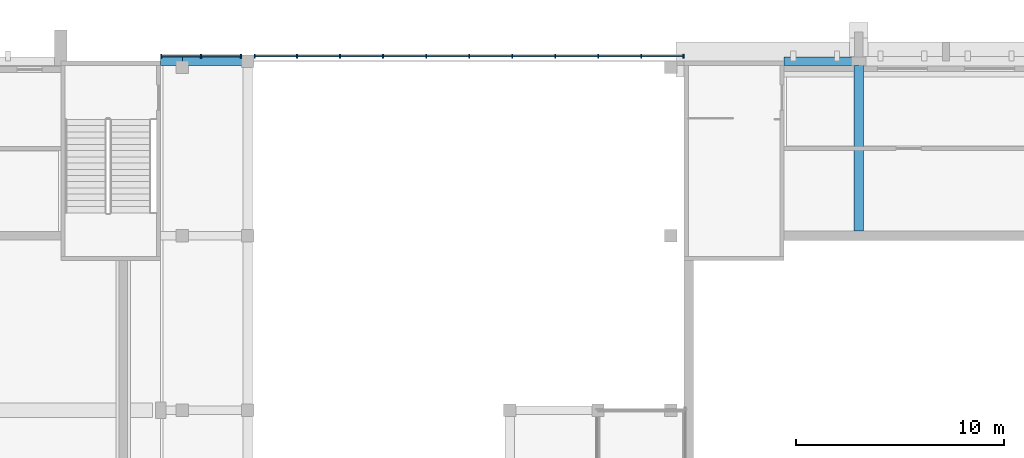
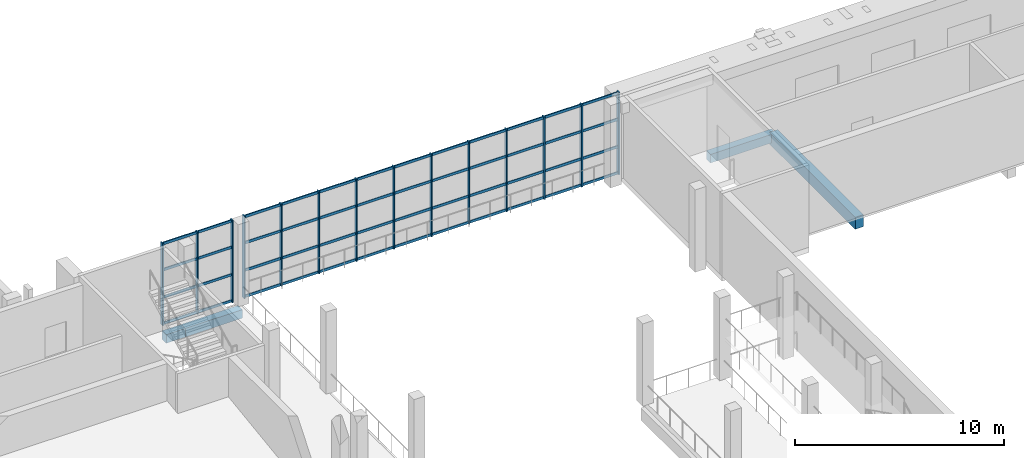
# One storey, part 19 of 86: 62 members, 4 beams, 2 elements without a shape of their own.
"""IFC4 building model written with IfcOpenShell, lengths in metres."""

from ifc_helpers import new_model, si_unit, direction, frame, origin, origin_2d, place, context, subcontext, project, spatial, rectangle, extrude, material, layer, layer_set, material_profile, profile_set, type_object, element, aggregate, save


model = new_model("IFC4")

# Units and contexts
model_context = context("Model", 3, precision=1e-05, world=origin(), true_north=direction((0.0, 1.0)))
body_context = subcontext(model_context, "Body", "Model", "MODEL_VIEW")
ifc_project = project(units=[si_unit("LENGTHUNIT", "METRE"), si_unit("AREAUNIT", "SQUARE_METRE"), si_unit("VOLUMEUNIT", "CUBIC_METRE"), si_unit("PLANEANGLEUNIT", "RADIAN"), si_unit("MASSUNIT", "GRAM", prefix="KILO")], contexts=[model_context])

# Site, building, storey
site_placement = place(None, origin())
site = spatial("IfcSite", under=ifc_project, at=site_placement, CompositionType="ELEMENT")
building_placement = place(site_placement, origin())
building = spatial("IfcBuilding", under=site, at=building_placement, Name="Kiln Court Media Centre", CompositionType="ELEMENT")
storey_placement = place(building_placement, frame((0.0, 0.0, 10.199951171875)))
storey = spatial("IfcBuildingStorey", under=building, at=storey_placement, Name="L02", CompositionType="ELEMENT", Elevation=10.199951171875)

# Curtain wall, members
ifc_material_1 = material(Name="Aluminium 6063-T6", Category="aluminium")
ifc_layer = layer(ifc_material_1, 0.1201171875)
ifc_layer_set = layer_set([ifc_layer], Name="Aluminium stick curtain wall, foyer")
curtain_wall_type = type_object("IfcCurtainWallType", Name="Aluminium stick curtain wall, foyer", PredefinedType="USERDEFINED", material=ifc_layer_set)
curtain_wall_1_placement = place(storey_placement, origin())
curtain_wall_1 = element("IfcCurtainWall", 1, at=curtain_wall_1_placement, inside=storey, type_object=curtain_wall_type, Name="Foyer north glazing L02", ObjectType="STICK CURTAIN WALL", PredefinedType="USERDEFINED")
ifc_material_2 = material(Name="Aluminium 6063-T6", Category="aluminium")
ifc_material_profile_1 = material_profile(ifc_material_2, rectangle(XDim=0.06005859375, YDim=0.199951171875, at=origin_2d()), Name="Aluminium hall mullion 60x200")
ifc_profile_set_1 = profile_set([ifc_material_profile_1], Name="Aluminium 6063-T6")
member_type_1 = type_object("IfcMemberType", Name="Aluminium hall mullion 60x200", PredefinedType="MULLION", material=ifc_profile_set_1)
member_1_placement = place(storey_placement, frame((33.6298828125, 67.444580078125, 0.0), z_axis=(0.0, 0.0, 1.0), x_axis=(1.0, 0.0, 0.0)))
member_1 = element("IfcMember", 2, at=member_1_placement, type_object=member_type_1, Name="CW2-60 mullion 1", PredefinedType="MULLION", context=body_context, shape_type="SweptSolid", body=[
    extrude(rectangle(XDim=0.06005859375, YDim=0.199951171875, at=origin_2d()), origin(), (0.0, 0.0, 1.0), 4.800048828125),
])
member_2_placement = place(storey_placement, frame((35.550048828125, 67.444580078125, 0.0), z_axis=(0.0, 0.0, 1.0), x_axis=(1.0, 0.0, 0.0)))
member_2 = element("IfcMember", 3, at=member_2_placement, type_object=member_type_1, Name="CW2-60 mullion 2", PredefinedType="MULLION", context=body_context, shape_type="SweptSolid", body=[
    extrude(rectangle(XDim=0.06005859375, YDim=0.199951171875, at=origin_2d()), origin(), (0.0, 0.0, 1.0), 4.800048828125),
])
member_3_placement = place(storey_placement, frame((37.469970703125, 67.444580078125, 0.0), z_axis=(0.0, 0.0, 1.0), x_axis=(1.0, 0.0, 0.0)))
member_3 = element("IfcMember", 4, at=member_3_placement, type_object=member_type_1, Name="CW2-60 mullion 3", PredefinedType="MULLION", context=body_context, shape_type="SweptSolid", body=[
    extrude(rectangle(XDim=0.06005859375, YDim=0.199951171875, at=origin_2d()), origin(), (0.0, 0.0, 1.0), 4.800048828125),
])

curtain_wall_2_placement = place(storey_placement, origin())
curtain_wall_2 = element("IfcCurtainWall", 5, at=curtain_wall_2_placement, inside=storey, type_object=curtain_wall_type, Name="Foyer north glazing L02", ObjectType="STICK CURTAIN WALL", PredefinedType="USERDEFINED")
member_4_placement = place(storey_placement, frame((38.1298828125, 67.444580078125, 0.0), z_axis=(0.0, 0.0, 1.0), x_axis=(1.0, 0.0, 0.0)))
member_4 = element("IfcMember", 6, at=member_4_placement, type_object=member_type_1, Name="CW2-61 mullion 1", PredefinedType="MULLION", context=body_context, shape_type="SweptSolid", body=[
    extrude(rectangle(XDim=0.06005859375, YDim=0.199951171875, at=origin_2d()), origin(), (0.0, 0.0, 1.0), 4.800048828125),
])
member_5_placement = place(storey_placement, frame((40.169921875, 67.444580078125, 0.0), z_axis=(0.0, 0.0, 1.0), x_axis=(1.0, 0.0, 0.0)))
member_5 = element("IfcMember", 7, at=member_5_placement, type_object=member_type_1, Name="CW2-61 mullion 2", PredefinedType="MULLION", context=body_context, shape_type="SweptSolid", body=[
    extrude(rectangle(XDim=0.06005859375, YDim=0.199951171875, at=origin_2d()), origin(), (0.0, 0.0, 1.0), 4.800048828125),
])
member_6_placement = place(storey_placement, frame((42.239990234375, 67.444580078125, 0.0), z_axis=(0.0, 0.0, 1.0), x_axis=(1.0, 0.0, 0.0)))
member_6 = element("IfcMember", 8, at=member_6_placement, type_object=member_type_1, Name="CW2-61 mullion 3", PredefinedType="MULLION", context=body_context, shape_type="SweptSolid", body=[
    extrude(rectangle(XDim=0.06005859375, YDim=0.199951171875, at=origin_2d()), origin(), (0.0, 0.0, 1.0), 4.800048828125),
])
member_7_placement = place(storey_placement, frame((44.31005859375, 67.444580078125, 0.0), z_axis=(0.0, 0.0, 1.0), x_axis=(1.0, 0.0, 0.0)))
member_7 = element("IfcMember", 9, at=member_7_placement, type_object=member_type_1, Name="CW2-61 mullion 4", PredefinedType="MULLION", context=body_context, shape_type="SweptSolid", body=[
    extrude(rectangle(XDim=0.06005859375, YDim=0.199951171875, at=origin_2d()), origin(), (0.0, 0.0, 1.0), 4.800048828125),
])
member_8_placement = place(storey_placement, frame((46.3798828125, 67.444580078125, 0.0), z_axis=(0.0, 0.0, 1.0), x_axis=(1.0, 0.0, 0.0)))
member_8 = element("IfcMember", 10, at=member_8_placement, type_object=member_type_1, Name="CW2-61 mullion 5", PredefinedType="MULLION", context=body_context, shape_type="SweptSolid", body=[
    extrude(rectangle(XDim=0.06005859375, YDim=0.199951171875, at=origin_2d()), origin(), (0.0, 0.0, 1.0), 4.800048828125),
])
member_9_placement = place(storey_placement, frame((48.449951171875, 67.444580078125, 0.0), z_axis=(0.0, 0.0, 1.0), x_axis=(1.0, 0.0, 0.0)))
member_9 = element("IfcMember", 11, at=member_9_placement, type_object=member_type_1, Name="CW2-61 mullion 6", PredefinedType="MULLION", context=body_context, shape_type="SweptSolid", body=[
    extrude(rectangle(XDim=0.06005859375, YDim=0.199951171875, at=origin_2d()), origin(), (0.0, 0.0, 1.0), 4.800048828125),
])
member_10_placement = place(storey_placement, frame((50.52001953125, 67.444580078125, 0.0), z_axis=(0.0, 0.0, 1.0), x_axis=(1.0, 0.0, 0.0)))
member_10 = element("IfcMember", 12, at=member_10_placement, type_object=member_type_1, Name="CW2-61 mullion 7", PredefinedType="MULLION", context=body_context, shape_type="SweptSolid", body=[
    extrude(rectangle(XDim=0.06005859375, YDim=0.199951171875, at=origin_2d()), origin(), (0.0, 0.0, 1.0), 4.800048828125),
])
member_11_placement = place(storey_placement, frame((52.590087890625, 67.444580078125, 0.0), z_axis=(0.0, 0.0, 1.0), x_axis=(1.0, 0.0, 0.0)))
member_11 = element("IfcMember", 13, at=member_11_placement, type_object=member_type_1, Name="CW2-61 mullion 8", PredefinedType="MULLION", context=body_context, shape_type="SweptSolid", body=[
    extrude(rectangle(XDim=0.06005859375, YDim=0.199951171875, at=origin_2d()), origin(), (0.0, 0.0, 1.0), 4.800048828125),
])
member_12_placement = place(storey_placement, frame((54.659912109375, 67.444580078125, 0.0), z_axis=(0.0, 0.0, 1.0), x_axis=(1.0, 0.0, 0.0)))
member_12 = element("IfcMember", 14, at=member_12_placement, type_object=member_type_1, Name="CW2-61 mullion 9", PredefinedType="MULLION", context=body_context, shape_type="SweptSolid", body=[
    extrude(rectangle(XDim=0.06005859375, YDim=0.199951171875, at=origin_2d()), origin(), (0.0, 0.0, 1.0), 4.800048828125),
])
member_13_placement = place(storey_placement, frame((56.72998046875, 67.444580078125, 0.0), z_axis=(0.0, 0.0, 1.0), x_axis=(1.0, 0.0, 0.0)))
member_13 = element("IfcMember", 15, at=member_13_placement, type_object=member_type_1, Name="CW2-61 mullion 10", PredefinedType="MULLION", context=body_context, shape_type="SweptSolid", body=[
    extrude(rectangle(XDim=0.06005859375, YDim=0.199951171875, at=origin_2d()), origin(), (0.0, 0.0, 1.0), 4.800048828125),
])
member_14_placement = place(storey_placement, frame((58.77001953125, 67.444580078125, 0.0), z_axis=(0.0, 0.0, 1.0), x_axis=(1.0, 0.0, 0.0)))
member_14 = element("IfcMember", 16, at=member_14_placement, type_object=member_type_1, Name="CW2-61 mullion 11", PredefinedType="MULLION", context=body_context, shape_type="SweptSolid", body=[
    extrude(rectangle(XDim=0.06005859375, YDim=0.199951171875, at=origin_2d()), origin(), (0.0, 0.0, 1.0), 4.800048828125),
])

# Member
ifc_material_3 = material(Name="Aluminium 6063-T6", Category="aluminium")
ifc_material_profile_2 = material_profile(ifc_material_3, rectangle(XDim=0.06005859375, YDim=0.14990234375, at=origin_2d()), Name="Aluminium hall transom 60x150")
ifc_profile_set_2 = profile_set([ifc_material_profile_2], Name="Aluminium 6063-T6")
member_type_2 = type_object("IfcMemberType", Name="Aluminium hall transom 60x150", PredefinedType="USERDEFINED", material=ifc_profile_set_2)
member_15_placement = place(storey_placement, frame((33.659912109375, 67.444580078125, 0.074951171875), z_axis=(1.0, 0.0, 0.0), x_axis=(0.0, 1.0, 0.0)))
member_15 = element("IfcMember", 17, at=member_15_placement, type_object=member_type_2, Name="CW2-60 transom 1.1", ObjectType="TRANSOM", PredefinedType="USERDEFINED", context=body_context, shape_type="SweptSolid", body=[
    extrude(rectangle(XDim=0.06005859375, YDim=0.14990234375, at=origin_2d()), origin(), (0.0, 0.0, 1.0), 1.860107421875),
])

member_16_placement = place(storey_placement, frame((33.659912109375, 67.444580078125, 1.60009765625), z_axis=(1.0, 0.0, 0.0), x_axis=(0.0, 1.0, 0.0)))
member_16 = element("IfcMember", 18, at=member_16_placement, type_object=member_type_2, Name="CW2-60 transom 1.2", ObjectType="TRANSOM", PredefinedType="USERDEFINED", context=body_context, shape_type="SweptSolid", body=[
    extrude(rectangle(XDim=0.06005859375, YDim=0.14990234375, at=origin_2d()), origin(), (0.0, 0.0, 1.0), 1.860107421875),
])

member_17_placement = place(storey_placement, frame((33.659912109375, 67.444580078125, 3.199951171875), z_axis=(1.0, 0.0, 0.0), x_axis=(0.0, 1.0, 0.0)))
member_17 = element("IfcMember", 19, at=member_17_placement, type_object=member_type_2, Name="CW2-60 transom 1.3", ObjectType="TRANSOM", PredefinedType="USERDEFINED", context=body_context, shape_type="SweptSolid", body=[
    extrude(rectangle(XDim=0.06005859375, YDim=0.14990234375, at=origin_2d()), origin(), (0.0, 0.0, 1.0), 1.860107421875),
])

member_18_placement = place(storey_placement, frame((33.659912109375, 67.444580078125, 4.72509765625), z_axis=(1.0, 0.0, 0.0), x_axis=(0.0, 1.0, 0.0)))
member_18 = element("IfcMember", 20, at=member_18_placement, type_object=member_type_2, Name="CW2-60 transom 1.4", ObjectType="TRANSOM", PredefinedType="USERDEFINED", context=body_context, shape_type="SweptSolid", body=[
    extrude(rectangle(XDim=0.06005859375, YDim=0.14990234375, at=origin_2d()), origin(), (0.0, 0.0, 1.0), 1.860107421875),
])

member_19_placement = place(storey_placement, frame((35.580078125, 67.444580078125, 0.074951171875), z_axis=(1.0, 0.0, 0.0), x_axis=(0.0, 1.0, 0.0)))
member_19 = element("IfcMember", 21, at=member_19_placement, type_object=member_type_2, Name="CW2-60 transom 2.1", ObjectType="TRANSOM", PredefinedType="USERDEFINED", context=body_context, shape_type="SweptSolid", body=[
    extrude(rectangle(XDim=0.06005859375, YDim=0.14990234375, at=origin_2d()), origin(), (0.0, 0.0, 1.0), 1.85986328125),
])

member_20_placement = place(storey_placement, frame((35.580078125, 67.444580078125, 1.60009765625), z_axis=(1.0, 0.0, 0.0), x_axis=(0.0, 1.0, 0.0)))
member_20 = element("IfcMember", 22, at=member_20_placement, type_object=member_type_2, Name="CW2-60 transom 2.2", ObjectType="TRANSOM", PredefinedType="USERDEFINED", context=body_context, shape_type="SweptSolid", body=[
    extrude(rectangle(XDim=0.06005859375, YDim=0.14990234375, at=origin_2d()), origin(), (0.0, 0.0, 1.0), 1.85986328125),
])

member_21_placement = place(storey_placement, frame((35.580078125, 67.444580078125, 3.199951171875), z_axis=(1.0, 0.0, 0.0), x_axis=(0.0, 1.0, 0.0)))
member_21 = element("IfcMember", 23, at=member_21_placement, type_object=member_type_2, Name="CW2-60 transom 2.3", ObjectType="TRANSOM", PredefinedType="USERDEFINED", context=body_context, shape_type="SweptSolid", body=[
    extrude(rectangle(XDim=0.06005859375, YDim=0.14990234375, at=origin_2d()), origin(), (0.0, 0.0, 1.0), 1.85986328125),
])

member_22_placement = place(storey_placement, frame((35.580078125, 67.444580078125, 4.72509765625), z_axis=(1.0, 0.0, 0.0), x_axis=(0.0, 1.0, 0.0)))
member_22 = element("IfcMember", 24, at=member_22_placement, type_object=member_type_2, Name="CW2-60 transom 2.4", ObjectType="TRANSOM", PredefinedType="USERDEFINED", context=body_context, shape_type="SweptSolid", body=[
    extrude(rectangle(XDim=0.06005859375, YDim=0.14990234375, at=origin_2d()), origin(), (0.0, 0.0, 1.0), 1.85986328125),
])

aggregate(curtain_wall_1, [member_1, member_2, member_3, member_15, member_16, member_17, member_18, member_19, member_20, member_21, member_22])

member_23_placement = place(storey_placement, frame((38.159912109375, 67.444580078125, 0.074951171875), z_axis=(1.0, 0.0, 0.0), x_axis=(0.0, 1.0, 0.0)))
member_23 = element("IfcMember", 25, at=member_23_placement, type_object=member_type_2, Name="CW2-61 transom 1.1", ObjectType="TRANSOM", PredefinedType="USERDEFINED", context=body_context, shape_type="SweptSolid", body=[
    extrude(rectangle(XDim=0.06005859375, YDim=0.14990234375, at=origin_2d()), origin(), (0.0, 0.0, 1.0), 1.97998046875),
])

member_24_placement = place(storey_placement, frame((38.159912109375, 67.444580078125, 1.60009765625), z_axis=(1.0, 0.0, 0.0), x_axis=(0.0, 1.0, 0.0)))
member_24 = element("IfcMember", 26, at=member_24_placement, type_object=member_type_2, Name="CW2-61 transom 1.2", ObjectType="TRANSOM", PredefinedType="USERDEFINED", context=body_context, shape_type="SweptSolid", body=[
    extrude(rectangle(XDim=0.06005859375, YDim=0.14990234375, at=origin_2d()), origin(), (0.0, 0.0, 1.0), 1.97998046875),
])

member_25_placement = place(storey_placement, frame((38.159912109375, 67.444580078125, 3.199951171875), z_axis=(1.0, 0.0, 0.0), x_axis=(0.0, 1.0, 0.0)))
member_25 = element("IfcMember", 27, at=member_25_placement, type_object=member_type_2, Name="CW2-61 transom 1.3", ObjectType="TRANSOM", PredefinedType="USERDEFINED", context=body_context, shape_type="SweptSolid", body=[
    extrude(rectangle(XDim=0.06005859375, YDim=0.14990234375, at=origin_2d()), origin(), (0.0, 0.0, 1.0), 1.97998046875),
])

member_26_placement = place(storey_placement, frame((38.159912109375, 67.444580078125, 4.72509765625), z_axis=(1.0, 0.0, 0.0), x_axis=(0.0, 1.0, 0.0)))
member_26 = element("IfcMember", 28, at=member_26_placement, type_object=member_type_2, Name="CW2-61 transom 1.4", ObjectType="TRANSOM", PredefinedType="USERDEFINED", context=body_context, shape_type="SweptSolid", body=[
    extrude(rectangle(XDim=0.06005859375, YDim=0.14990234375, at=origin_2d()), origin(), (0.0, 0.0, 1.0), 1.97998046875),
])

member_27_placement = place(storey_placement, frame((40.199951171875, 67.444580078125, 0.074951171875), z_axis=(1.0, 0.0, 0.0), x_axis=(0.0, 1.0, 0.0)))
member_27 = element("IfcMember", 29, at=member_27_placement, type_object=member_type_2, Name="CW2-61 transom 2.1", ObjectType="TRANSOM", PredefinedType="USERDEFINED", context=body_context, shape_type="SweptSolid", body=[
    extrude(rectangle(XDim=0.06005859375, YDim=0.14990234375, at=origin_2d()), origin(), (0.0, 0.0, 1.0), 2.010009765625),
])

member_28_placement = place(storey_placement, frame((40.199951171875, 67.444580078125, 1.60009765625), z_axis=(1.0, 0.0, 0.0), x_axis=(0.0, 1.0, 0.0)))
member_28 = element("IfcMember", 30, at=member_28_placement, type_object=member_type_2, Name="CW2-61 transom 2.2", ObjectType="TRANSOM", PredefinedType="USERDEFINED", context=body_context, shape_type="SweptSolid", body=[
    extrude(rectangle(XDim=0.06005859375, YDim=0.14990234375, at=origin_2d()), origin(), (0.0, 0.0, 1.0), 2.010009765625),
])

member_29_placement = place(storey_placement, frame((40.199951171875, 67.444580078125, 3.199951171875), z_axis=(1.0, 0.0, 0.0), x_axis=(0.0, 1.0, 0.0)))
member_29 = element("IfcMember", 31, at=member_29_placement, type_object=member_type_2, Name="CW2-61 transom 2.3", ObjectType="TRANSOM", PredefinedType="USERDEFINED", context=body_context, shape_type="SweptSolid", body=[
    extrude(rectangle(XDim=0.06005859375, YDim=0.14990234375, at=origin_2d()), origin(), (0.0, 0.0, 1.0), 2.010009765625),
])

member_30_placement = place(storey_placement, frame((40.199951171875, 67.444580078125, 4.72509765625), z_axis=(1.0, 0.0, 0.0), x_axis=(0.0, 1.0, 0.0)))
member_30 = element("IfcMember", 32, at=member_30_placement, type_object=member_type_2, Name="CW2-61 transom 2.4", ObjectType="TRANSOM", PredefinedType="USERDEFINED", context=body_context, shape_type="SweptSolid", body=[
    extrude(rectangle(XDim=0.06005859375, YDim=0.14990234375, at=origin_2d()), origin(), (0.0, 0.0, 1.0), 2.010009765625),
])

member_31_placement = place(storey_placement, frame((42.27001953125, 67.444580078125, 0.074951171875), z_axis=(1.0, 0.0, 0.0), x_axis=(0.0, 1.0, 0.0)))
member_31 = element("IfcMember", 33, at=member_31_placement, type_object=member_type_2, Name="CW2-61 transom 3.1", ObjectType="TRANSOM", PredefinedType="USERDEFINED", context=body_context, shape_type="SweptSolid", body=[
    extrude(rectangle(XDim=0.06005859375, YDim=0.14990234375, at=origin_2d()), origin(), (0.0, 0.0, 1.0), 2.010009765625),
])

member_32_placement = place(storey_placement, frame((42.27001953125, 67.444580078125, 1.60009765625), z_axis=(1.0, 0.0, 0.0), x_axis=(0.0, 1.0, 0.0)))
member_32 = element("IfcMember", 34, at=member_32_placement, type_object=member_type_2, Name="CW2-61 transom 3.2", ObjectType="TRANSOM", PredefinedType="USERDEFINED", context=body_context, shape_type="SweptSolid", body=[
    extrude(rectangle(XDim=0.06005859375, YDim=0.14990234375, at=origin_2d()), origin(), (0.0, 0.0, 1.0), 2.010009765625),
])

member_33_placement = place(storey_placement, frame((42.27001953125, 67.444580078125, 3.199951171875), z_axis=(1.0, 0.0, 0.0), x_axis=(0.0, 1.0, 0.0)))
member_33 = element("IfcMember", 35, at=member_33_placement, type_object=member_type_2, Name="CW2-61 transom 3.3", ObjectType="TRANSOM", PredefinedType="USERDEFINED", context=body_context, shape_type="SweptSolid", body=[
    extrude(rectangle(XDim=0.06005859375, YDim=0.14990234375, at=origin_2d()), origin(), (0.0, 0.0, 1.0), 2.010009765625),
])

member_34_placement = place(storey_placement, frame((42.27001953125, 67.444580078125, 4.72509765625), z_axis=(1.0, 0.0, 0.0), x_axis=(0.0, 1.0, 0.0)))
member_34 = element("IfcMember", 36, at=member_34_placement, type_object=member_type_2, Name="CW2-61 transom 3.4", ObjectType="TRANSOM", PredefinedType="USERDEFINED", context=body_context, shape_type="SweptSolid", body=[
    extrude(rectangle(XDim=0.06005859375, YDim=0.14990234375, at=origin_2d()), origin(), (0.0, 0.0, 1.0), 2.010009765625),
])

member_35_placement = place(storey_placement, frame((44.340087890625, 67.444580078125, 0.074951171875), z_axis=(1.0, 0.0, 0.0), x_axis=(0.0, 1.0, 0.0)))
member_35 = element("IfcMember", 37, at=member_35_placement, type_object=member_type_2, Name="CW2-61 transom 4.1", ObjectType="TRANSOM", PredefinedType="USERDEFINED", context=body_context, shape_type="SweptSolid", body=[
    extrude(rectangle(XDim=0.06005859375, YDim=0.14990234375, at=origin_2d()), origin(), (0.0, 0.0, 1.0), 2.010009765625),
])

member_36_placement = place(storey_placement, frame((44.340087890625, 67.444580078125, 1.60009765625), z_axis=(1.0, 0.0, 0.0), x_axis=(0.0, 1.0, 0.0)))
member_36 = element("IfcMember", 38, at=member_36_placement, type_object=member_type_2, Name="CW2-61 transom 4.2", ObjectType="TRANSOM", PredefinedType="USERDEFINED", context=body_context, shape_type="SweptSolid", body=[
    extrude(rectangle(XDim=0.06005859375, YDim=0.14990234375, at=origin_2d()), origin(), (0.0, 0.0, 1.0), 2.010009765625),
])

member_37_placement = place(storey_placement, frame((44.340087890625, 67.444580078125, 3.199951171875), z_axis=(1.0, 0.0, 0.0), x_axis=(0.0, 1.0, 0.0)))
member_37 = element("IfcMember", 39, at=member_37_placement, type_object=member_type_2, Name="CW2-61 transom 4.3", ObjectType="TRANSOM", PredefinedType="USERDEFINED", context=body_context, shape_type="SweptSolid", body=[
    extrude(rectangle(XDim=0.06005859375, YDim=0.14990234375, at=origin_2d()), origin(), (0.0, 0.0, 1.0), 2.010009765625),
])

member_38_placement = place(storey_placement, frame((44.340087890625, 67.444580078125, 4.72509765625), z_axis=(1.0, 0.0, 0.0), x_axis=(0.0, 1.0, 0.0)))
member_38 = element("IfcMember", 40, at=member_38_placement, type_object=member_type_2, Name="CW2-61 transom 4.4", ObjectType="TRANSOM", PredefinedType="USERDEFINED", context=body_context, shape_type="SweptSolid", body=[
    extrude(rectangle(XDim=0.06005859375, YDim=0.14990234375, at=origin_2d()), origin(), (0.0, 0.0, 1.0), 2.010009765625),
])

member_39_placement = place(storey_placement, frame((46.409912109375, 67.444580078125, 0.074951171875), z_axis=(1.0, 0.0, 0.0), x_axis=(0.0, 1.0, 0.0)))
member_39 = element("IfcMember", 41, at=member_39_placement, type_object=member_type_2, Name="CW2-61 transom 5.1", ObjectType="TRANSOM", PredefinedType="USERDEFINED", context=body_context, shape_type="SweptSolid", body=[
    extrude(rectangle(XDim=0.06005859375, YDim=0.14990234375, at=origin_2d()), origin(), (0.0, 0.0, 1.0), 2.010009765625),
])

member_40_placement = place(storey_placement, frame((46.409912109375, 67.444580078125, 1.60009765625), z_axis=(1.0, 0.0, 0.0), x_axis=(0.0, 1.0, 0.0)))
member_40 = element("IfcMember", 42, at=member_40_placement, type_object=member_type_2, Name="CW2-61 transom 5.2", ObjectType="TRANSOM", PredefinedType="USERDEFINED", context=body_context, shape_type="SweptSolid", body=[
    extrude(rectangle(XDim=0.06005859375, YDim=0.14990234375, at=origin_2d()), origin(), (0.0, 0.0, 1.0), 2.010009765625),
])

member_41_placement = place(storey_placement, frame((46.409912109375, 67.444580078125, 3.199951171875), z_axis=(1.0, 0.0, 0.0), x_axis=(0.0, 1.0, 0.0)))
member_41 = element("IfcMember", 43, at=member_41_placement, type_object=member_type_2, Name="CW2-61 transom 5.3", ObjectType="TRANSOM", PredefinedType="USERDEFINED", context=body_context, shape_type="SweptSolid", body=[
    extrude(rectangle(XDim=0.06005859375, YDim=0.14990234375, at=origin_2d()), origin(), (0.0, 0.0, 1.0), 2.010009765625),
])

member_42_placement = place(storey_placement, frame((46.409912109375, 67.444580078125, 4.72509765625), z_axis=(1.0, 0.0, 0.0), x_axis=(0.0, 1.0, 0.0)))
member_42 = element("IfcMember", 44, at=member_42_placement, type_object=member_type_2, Name="CW2-61 transom 5.4", ObjectType="TRANSOM", PredefinedType="USERDEFINED", context=body_context, shape_type="SweptSolid", body=[
    extrude(rectangle(XDim=0.06005859375, YDim=0.14990234375, at=origin_2d()), origin(), (0.0, 0.0, 1.0), 2.010009765625),
])

member_43_placement = place(storey_placement, frame((48.47998046875, 67.444580078125, 0.074951171875), z_axis=(1.0, 0.0, 0.0), x_axis=(0.0, 1.0, 0.0)))
member_43 = element("IfcMember", 45, at=member_43_placement, type_object=member_type_2, Name="CW2-61 transom 6.1", ObjectType="TRANSOM", PredefinedType="USERDEFINED", context=body_context, shape_type="SweptSolid", body=[
    extrude(rectangle(XDim=0.06005859375, YDim=0.14990234375, at=origin_2d()), origin(), (0.0, 0.0, 1.0), 2.010009765625),
])

member_44_placement = place(storey_placement, frame((48.47998046875, 67.444580078125, 1.60009765625), z_axis=(1.0, 0.0, 0.0), x_axis=(0.0, 1.0, 0.0)))
member_44 = element("IfcMember", 46, at=member_44_placement, type_object=member_type_2, Name="CW2-61 transom 6.2", ObjectType="TRANSOM", PredefinedType="USERDEFINED", context=body_context, shape_type="SweptSolid", body=[
    extrude(rectangle(XDim=0.06005859375, YDim=0.14990234375, at=origin_2d()), origin(), (0.0, 0.0, 1.0), 2.010009765625),
])

member_45_placement = place(storey_placement, frame((48.47998046875, 67.444580078125, 3.199951171875), z_axis=(1.0, 0.0, 0.0), x_axis=(0.0, 1.0, 0.0)))
member_45 = element("IfcMember", 47, at=member_45_placement, type_object=member_type_2, Name="CW2-61 transom 6.3", ObjectType="TRANSOM", PredefinedType="USERDEFINED", context=body_context, shape_type="SweptSolid", body=[
    extrude(rectangle(XDim=0.06005859375, YDim=0.14990234375, at=origin_2d()), origin(), (0.0, 0.0, 1.0), 2.010009765625),
])

member_46_placement = place(storey_placement, frame((48.47998046875, 67.444580078125, 4.72509765625), z_axis=(1.0, 0.0, 0.0), x_axis=(0.0, 1.0, 0.0)))
member_46 = element("IfcMember", 48, at=member_46_placement, type_object=member_type_2, Name="CW2-61 transom 6.4", ObjectType="TRANSOM", PredefinedType="USERDEFINED", context=body_context, shape_type="SweptSolid", body=[
    extrude(rectangle(XDim=0.06005859375, YDim=0.14990234375, at=origin_2d()), origin(), (0.0, 0.0, 1.0), 2.010009765625),
])

member_47_placement = place(storey_placement, frame((50.550048828125, 67.444580078125, 0.074951171875), z_axis=(1.0, 0.0, 0.0), x_axis=(0.0, 1.0, 0.0)))
member_47 = element("IfcMember", 49, at=member_47_placement, type_object=member_type_2, Name="CW2-61 transom 7.1", ObjectType="TRANSOM", PredefinedType="USERDEFINED", context=body_context, shape_type="SweptSolid", body=[
    extrude(rectangle(XDim=0.06005859375, YDim=0.14990234375, at=origin_2d()), origin(), (0.0, 0.0, 1.0), 2.010009765625),
])

member_48_placement = place(storey_placement, frame((50.550048828125, 67.444580078125, 1.60009765625), z_axis=(1.0, 0.0, 0.0), x_axis=(0.0, 1.0, 0.0)))
member_48 = element("IfcMember", 50, at=member_48_placement, type_object=member_type_2, Name="CW2-61 transom 7.2", ObjectType="TRANSOM", PredefinedType="USERDEFINED", context=body_context, shape_type="SweptSolid", body=[
    extrude(rectangle(XDim=0.06005859375, YDim=0.14990234375, at=origin_2d()), origin(), (0.0, 0.0, 1.0), 2.010009765625),
])

member_49_placement = place(storey_placement, frame((50.550048828125, 67.444580078125, 3.199951171875), z_axis=(1.0, 0.0, 0.0), x_axis=(0.0, 1.0, 0.0)))
member_49 = element("IfcMember", 51, at=member_49_placement, type_object=member_type_2, Name="CW2-61 transom 7.3", ObjectType="TRANSOM", PredefinedType="USERDEFINED", context=body_context, shape_type="SweptSolid", body=[
    extrude(rectangle(XDim=0.06005859375, YDim=0.14990234375, at=origin_2d()), origin(), (0.0, 0.0, 1.0), 2.010009765625),
])

member_50_placement = place(storey_placement, frame((50.550048828125, 67.444580078125, 4.72509765625), z_axis=(1.0, 0.0, 0.0), x_axis=(0.0, 1.0, 0.0)))
member_50 = element("IfcMember", 52, at=member_50_placement, type_object=member_type_2, Name="CW2-61 transom 7.4", ObjectType="TRANSOM", PredefinedType="USERDEFINED", context=body_context, shape_type="SweptSolid", body=[
    extrude(rectangle(XDim=0.06005859375, YDim=0.14990234375, at=origin_2d()), origin(), (0.0, 0.0, 1.0), 2.010009765625),
])

member_51_placement = place(storey_placement, frame((52.6201171875, 67.444580078125, 0.074951171875), z_axis=(1.0, 0.0, 0.0), x_axis=(0.0, 1.0, 0.0)))
member_51 = element("IfcMember", 53, at=member_51_placement, type_object=member_type_2, Name="CW2-61 transom 8.1", ObjectType="TRANSOM", PredefinedType="USERDEFINED", context=body_context, shape_type="SweptSolid", body=[
    extrude(rectangle(XDim=0.06005859375, YDim=0.14990234375, at=origin_2d()), origin(), (0.0, 0.0, 1.0), 2.009765625),
])

member_52_placement = place(storey_placement, frame((52.6201171875, 67.444580078125, 1.60009765625), z_axis=(1.0, 0.0, 0.0), x_axis=(0.0, 1.0, 0.0)))
member_52 = element("IfcMember", 54, at=member_52_placement, type_object=member_type_2, Name="CW2-61 transom 8.2", ObjectType="TRANSOM", PredefinedType="USERDEFINED", context=body_context, shape_type="SweptSolid", body=[
    extrude(rectangle(XDim=0.06005859375, YDim=0.14990234375, at=origin_2d()), origin(), (0.0, 0.0, 1.0), 2.009765625),
])

member_53_placement = place(storey_placement, frame((52.6201171875, 67.444580078125, 3.199951171875), z_axis=(1.0, 0.0, 0.0), x_axis=(0.0, 1.0, 0.0)))
member_53 = element("IfcMember", 55, at=member_53_placement, type_object=member_type_2, Name="CW2-61 transom 8.3", ObjectType="TRANSOM", PredefinedType="USERDEFINED", context=body_context, shape_type="SweptSolid", body=[
    extrude(rectangle(XDim=0.06005859375, YDim=0.14990234375, at=origin_2d()), origin(), (0.0, 0.0, 1.0), 2.009765625),
])

member_54_placement = place(storey_placement, frame((52.6201171875, 67.444580078125, 4.72509765625), z_axis=(1.0, 0.0, 0.0), x_axis=(0.0, 1.0, 0.0)))
member_54 = element("IfcMember", 56, at=member_54_placement, type_object=member_type_2, Name="CW2-61 transom 8.4", ObjectType="TRANSOM", PredefinedType="USERDEFINED", context=body_context, shape_type="SweptSolid", body=[
    extrude(rectangle(XDim=0.06005859375, YDim=0.14990234375, at=origin_2d()), origin(), (0.0, 0.0, 1.0), 2.009765625),
])

member_55_placement = place(storey_placement, frame((54.68994140625, 67.444580078125, 0.074951171875), z_axis=(1.0, 0.0, 0.0), x_axis=(0.0, 1.0, 0.0)))
member_55 = element("IfcMember", 57, at=member_55_placement, type_object=member_type_2, Name="CW2-61 transom 9.1", ObjectType="TRANSOM", PredefinedType="USERDEFINED", context=body_context, shape_type="SweptSolid", body=[
    extrude(rectangle(XDim=0.06005859375, YDim=0.14990234375, at=origin_2d()), origin(), (0.0, 0.0, 1.0), 2.010009765625),
])

member_56_placement = place(storey_placement, frame((54.68994140625, 67.444580078125, 1.60009765625), z_axis=(1.0, 0.0, 0.0), x_axis=(0.0, 1.0, 0.0)))
member_56 = element("IfcMember", 58, at=member_56_placement, type_object=member_type_2, Name="CW2-61 transom 9.2", ObjectType="TRANSOM", PredefinedType="USERDEFINED", context=body_context, shape_type="SweptSolid", body=[
    extrude(rectangle(XDim=0.06005859375, YDim=0.14990234375, at=origin_2d()), origin(), (0.0, 0.0, 1.0), 2.010009765625),
])

member_57_placement = place(storey_placement, frame((54.68994140625, 67.444580078125, 3.199951171875), z_axis=(1.0, 0.0, 0.0), x_axis=(0.0, 1.0, 0.0)))
member_57 = element("IfcMember", 59, at=member_57_placement, type_object=member_type_2, Name="CW2-61 transom 9.3", ObjectType="TRANSOM", PredefinedType="USERDEFINED", context=body_context, shape_type="SweptSolid", body=[
    extrude(rectangle(XDim=0.06005859375, YDim=0.14990234375, at=origin_2d()), origin(), (0.0, 0.0, 1.0), 2.010009765625),
])

member_58_placement = place(storey_placement, frame((54.68994140625, 67.444580078125, 4.72509765625), z_axis=(1.0, 0.0, 0.0), x_axis=(0.0, 1.0, 0.0)))
member_58 = element("IfcMember", 60, at=member_58_placement, type_object=member_type_2, Name="CW2-61 transom 9.4", ObjectType="TRANSOM", PredefinedType="USERDEFINED", context=body_context, shape_type="SweptSolid", body=[
    extrude(rectangle(XDim=0.06005859375, YDim=0.14990234375, at=origin_2d()), origin(), (0.0, 0.0, 1.0), 2.010009765625),
])

member_59_placement = place(storey_placement, frame((56.760009765625, 67.444580078125, 0.074951171875), z_axis=(1.0, 0.0, 0.0), x_axis=(0.0, 1.0, 0.0)))
member_59 = element("IfcMember", 61, at=member_59_placement, type_object=member_type_2, Name="CW2-61 transom 10.1", ObjectType="TRANSOM", PredefinedType="USERDEFINED", context=body_context, shape_type="SweptSolid", body=[
    extrude(rectangle(XDim=0.06005859375, YDim=0.14990234375, at=origin_2d()), origin(), (0.0, 0.0, 1.0), 1.97998046875),
])

member_60_placement = place(storey_placement, frame((56.760009765625, 67.444580078125, 1.60009765625), z_axis=(1.0, 0.0, 0.0), x_axis=(0.0, 1.0, 0.0)))
member_60 = element("IfcMember", 62, at=member_60_placement, type_object=member_type_2, Name="CW2-61 transom 10.2", ObjectType="TRANSOM", PredefinedType="USERDEFINED", context=body_context, shape_type="SweptSolid", body=[
    extrude(rectangle(XDim=0.06005859375, YDim=0.14990234375, at=origin_2d()), origin(), (0.0, 0.0, 1.0), 1.97998046875),
])

member_61_placement = place(storey_placement, frame((56.760009765625, 67.444580078125, 3.199951171875), z_axis=(1.0, 0.0, 0.0), x_axis=(0.0, 1.0, 0.0)))
member_61 = element("IfcMember", 63, at=member_61_placement, type_object=member_type_2, Name="CW2-61 transom 10.3", ObjectType="TRANSOM", PredefinedType="USERDEFINED", context=body_context, shape_type="SweptSolid", body=[
    extrude(rectangle(XDim=0.06005859375, YDim=0.14990234375, at=origin_2d()), origin(), (0.0, 0.0, 1.0), 1.97998046875),
])

member_62_placement = place(storey_placement, frame((56.760009765625, 67.444580078125, 4.72509765625), z_axis=(1.0, 0.0, 0.0), x_axis=(0.0, 1.0, 0.0)))
member_62 = element("IfcMember", 64, at=member_62_placement, type_object=member_type_2, Name="CW2-61 transom 10.4", ObjectType="TRANSOM", PredefinedType="USERDEFINED", context=body_context, shape_type="SweptSolid", body=[
    extrude(rectangle(XDim=0.06005859375, YDim=0.14990234375, at=origin_2d()), origin(), (0.0, 0.0, 1.0), 1.97998046875),
])

aggregate(curtain_wall_2, [member_4, member_5, member_6, member_7, member_8, member_9, member_10, member_11, member_12, member_13, member_14, member_23, member_24, member_25, member_26, member_27, member_28, member_29, member_30, member_31, member_32, member_33, member_34, member_35, member_36, member_37, member_38, member_39, member_40, member_41, member_42, member_43, member_44, member_45, member_46, member_47, member_48, member_49, member_50, member_51, member_52, member_53, member_54, member_55, member_56, member_57, member_58, member_59, member_60, member_61, member_62])

# Beams
ifc_material_4 = material(Name="Concrete C30/37", Category="concrete")
ifc_material_profile_3 = material_profile(ifc_material_4, rectangle(XDim=0.39990234375, YDim=0.5, at=origin_2d()), Name="RC 400x500")
ifc_profile_set_3 = profile_set([ifc_material_profile_3], Name="Concrete C30/37")
beam_type_1 = type_object("IfcBeamType", Name="Concrete C30/37 beam 400x500", PredefinedType="BEAM", material=ifc_profile_set_3)
beam_1_placement = place(storey_placement, frame((33.60009765625, 67.199951171875, -0.550048828125), z_axis=(1.0, 0.0, 0.0), x_axis=(0.0, 1.0, 0.0)))
element("IfcBeam", 65, at=beam_1_placement, inside=storey, type_object=beam_type_1, Name="L02-B-1094", PredefinedType="BEAM", context=body_context, shape_type="SweptSolid", body=[
    extrude(rectangle(XDim=0.39990234375, YDim=0.5, at=origin_2d()), origin(), (0.0, 0.0, 1.0), 1.0498046875),
])
beam_2_placement = place(storey_placement, frame((34.64990234375, 67.199951171875, -0.550048828125), z_axis=(1.0, 0.0, 0.0), x_axis=(0.0, 1.0, 0.0)))
element("IfcBeam", 66, at=beam_2_placement, inside=storey, type_object=beam_type_1, Name="L02-B-1095", PredefinedType="BEAM", context=body_context, shape_type="SweptSolid", body=[
    extrude(rectangle(XDim=0.39990234375, YDim=0.5, at=origin_2d()), origin(), (0.0, 0.0, 1.0), 3.150146484375),
])
beam_3_placement = place(storey_placement, frame((63.60009765625, 67.199951171875, -0.550048828125), z_axis=(1.0, 0.0, 0.0), x_axis=(0.0, 1.0, 0.0)))
element("IfcBeam", 67, at=beam_3_placement, inside=storey, type_object=beam_type_1, Name="L02-B-1117", PredefinedType="BEAM", context=body_context, shape_type="SweptSolid", body=[
    extrude(rectangle(XDim=0.39990234375, YDim=0.5, at=origin_2d()), origin(), (0.0, 0.0, 1.0), 3.599853515625),
])
ifc_material_5 = material(Name="Concrete C30/37", Category="concrete")
ifc_material_profile_4 = material_profile(ifc_material_5, rectangle(XDim=0.449951171875, YDim=0.699951171875, at=origin_2d()), Name="RC 450x700")
ifc_profile_set_4 = profile_set([ifc_material_profile_4], Name="Concrete C30/37")
beam_type_2 = type_object("IfcBeamType", Name="Concrete C30/37 beam 450x700", PredefinedType="BEAM", material=ifc_profile_set_4)
beam_4_placement = place(storey_placement, frame((67.199951171875, 59.02490234375, -0.64990234375), z_axis=(0.0, 1.0, 0.0), x_axis=(-1.0, 0.0, 0.0)))
element("IfcBeam", 68, at=beam_4_placement, inside=storey, type_object=beam_type_2, Name="L02-B-1104", PredefinedType="BEAM", context=body_context, shape_type="SweptSolid", body=[
    extrude(rectangle(XDim=0.449951171875, YDim=0.699951171875, at=origin_2d()), origin(), (0.0, 0.0, 1.0), 8.175048828125),
])

save(model, "model.ifc")
